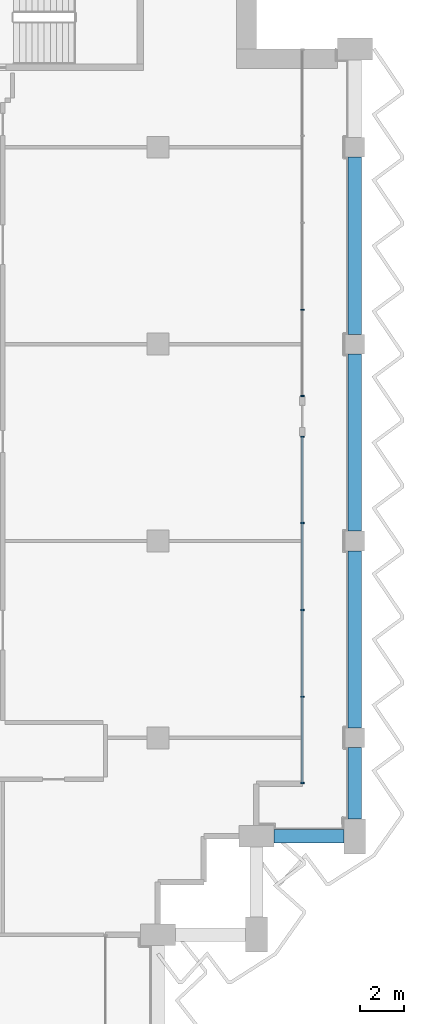
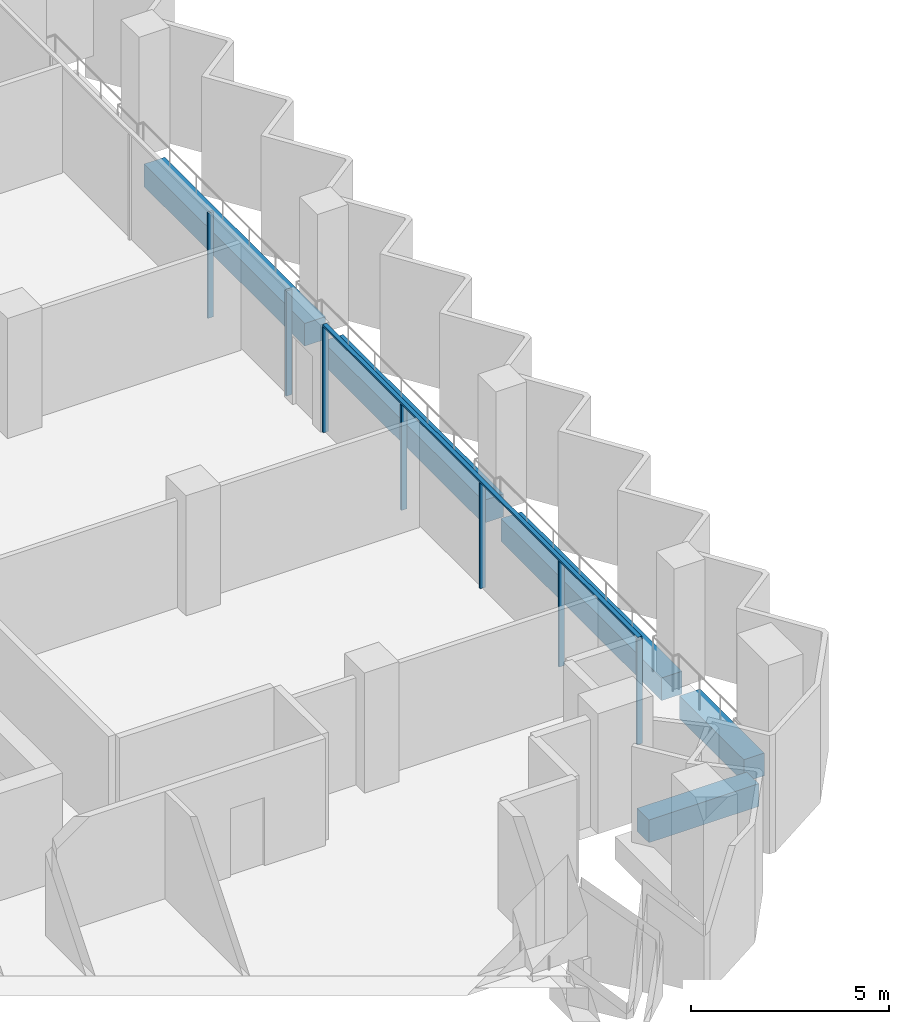
# One storey, part 5 of 17: 8 members, 5 beams, 2 elements without a shape of their own.
"""IFC4 building model written with IfcOpenShell, lengths in metres."""

from ifc_helpers import new_model, si_unit, direction, frame, origin, origin_2d, place, context, subcontext, project, spatial, rectangle, extrude, material, material_profile, profile_set, type_object, element, aggregate, save


model = new_model("IFC4")

# Units and contexts
model_context = context("Model", 3, precision=1e-05, world=origin(), true_north=direction((0.0, 1.0)))
body_context = subcontext(model_context, "Body", "Model", "MODEL_VIEW")
ifc_project = project(units=[si_unit("LENGTHUNIT", "METRE"), si_unit("AREAUNIT", "SQUARE_METRE"), si_unit("VOLUMEUNIT", "CUBIC_METRE"), si_unit("PLANEANGLEUNIT", "RADIAN"), si_unit("MASSUNIT", "GRAM", prefix="KILO")], contexts=[model_context])

# Site, building, storey
site_placement = place(None, origin())
site = spatial("IfcSite", under=ifc_project, at=site_placement, CompositionType="ELEMENT")
building_placement = place(site_placement, origin())
building = spatial("IfcBuilding", under=site, at=building_placement, Name="Hunhe Ridgeline Campus", CompositionType="ELEMENT")
storey_placement = place(building_placement, frame((0.0, 0.0, 265.10009765625)))
storey = spatial("IfcBuildingStorey", under=building, at=storey_placement, Name="L68", CompositionType="ELEMENT", Elevation=265.10009765625)

# Curtain wall, members
ifc_material_1 = material(Name="Aluminium 6063", Category="aluminium")
curtain_wall_type = type_object("IfcCurtainWallType", Name="Curtain wall CW-1", PredefinedType="NOTDEFINED", material=ifc_material_1)
curtain_wall_1_placement = place(storey_placement, origin())
curtain_wall_1 = element("IfcCurtainWall", 1, at=curtain_wall_1_placement, inside=storey, type_object=curtain_wall_type, Name="Curtain wall 12", PredefinedType="NOTDEFINED")
ifc_material_profile_1 = material_profile(ifc_material_1, rectangle(XDim=0.159912109375, YDim=0.06005859375, at=origin_2d()))
ifc_profile_set_1 = profile_set([ifc_material_profile_1], Name="Aluminium 6063")
member_type_1 = type_object("IfcMemberType", Name="CW-1 aluminium mullion", PredefinedType="MULLION", material=ifc_profile_set_1)
member_1_placement = place(storey_placement, frame((51.59912109375, 60.930908203125, 0.0), z_axis=(0.0, 0.0, 1.0), x_axis=(-1.0, 0.0, 0.0)))
member_1 = element("IfcMember", 2, at=member_1_placement, type_object=member_type_1, Name="CW-1 mullion 1", PredefinedType="MULLION", context=body_context, shape_type="SweptSolid", body=[
    extrude(rectangle(XDim=0.159912109375, YDim=0.06005859375, at=origin_2d()), origin(), (0.0, 0.0, 1.0), 3.239990234375),
])
member_2_placement = place(storey_placement, frame((51.59912109375, 64.8759765625, 0.0), z_axis=(0.0, 0.0, 1.0), x_axis=(-1.0, 0.0, 0.0)))
member_2 = element("IfcMember", 3, at=member_2_placement, type_object=member_type_1, Name="CW-1 mullion 2", PredefinedType="MULLION", context=body_context, shape_type="SweptSolid", body=[
    extrude(rectangle(XDim=0.159912109375, YDim=0.06005859375, at=origin_2d()), origin(), (0.0, 0.0, 1.0), 3.239990234375),
])
member_3_placement = place(storey_placement, frame((51.59912109375, 68.850830078125, 0.0), z_axis=(0.0, 0.0, 1.0), x_axis=(-1.0, 0.0, 0.0)))
member_3 = element("IfcMember", 4, at=member_3_placement, type_object=member_type_1, Name="CW-1 mullion 3", PredefinedType="MULLION", context=body_context, shape_type="SweptSolid", body=[
    extrude(rectangle(XDim=0.159912109375, YDim=0.06005859375, at=origin_2d()), origin(), (0.0, 0.0, 1.0), 3.239990234375),
])
member_4_placement = place(storey_placement, frame((51.59912109375, 72.82568359375, 0.0), z_axis=(0.0, 0.0, 1.0), x_axis=(-1.0, 0.0, 0.0)))
member_4 = element("IfcMember", 5, at=member_4_placement, type_object=member_type_1, Name="CW-1 mullion 4", PredefinedType="MULLION", context=body_context, shape_type="SweptSolid", body=[
    extrude(rectangle(XDim=0.159912109375, YDim=0.06005859375, at=origin_2d()), origin(), (0.0, 0.0, 1.0), 3.239990234375),
])
member_5_placement = place(storey_placement, frame((51.59912109375, 76.7705078125, 0.0), z_axis=(0.0, 0.0, 1.0), x_axis=(-1.0, 0.0, 0.0)))
member_5 = element("IfcMember", 6, at=member_5_placement, type_object=member_type_1, Name="CW-1 mullion 5", PredefinedType="MULLION", context=body_context, shape_type="SweptSolid", body=[
    extrude(rectangle(XDim=0.159912109375, YDim=0.06005859375, at=origin_2d()), origin(), (0.0, 0.0, 1.0), 3.239990234375),
])

curtain_wall_2_placement = place(storey_placement, origin())
curtain_wall_2 = element("IfcCurtainWall", 7, at=curtain_wall_2_placement, inside=storey, type_object=curtain_wall_type, Name="Curtain wall 13", PredefinedType="NOTDEFINED")
member_6_placement = place(storey_placement, frame((51.59912109375, 78.630615234375, 0.0), z_axis=(0.0, 0.0, 1.0), x_axis=(-1.0, 0.0, 0.0)))
member_6 = element("IfcMember", 8, at=member_6_placement, type_object=member_type_1, Name="CW-1 mullion 1", PredefinedType="MULLION", context=body_context, shape_type="SweptSolid", body=[
    extrude(rectangle(XDim=0.159912109375, YDim=0.06005859375, at=origin_2d()), origin(), (0.0, 0.0, 1.0), 3.239990234375),
])
member_7_placement = place(storey_placement, frame((51.59912109375, 82.575439453125, 0.0), z_axis=(0.0, 0.0, 1.0), x_axis=(-1.0, 0.0, 0.0)))
member_7 = element("IfcMember", 9, at=member_7_placement, type_object=member_type_1, Name="CW-1 mullion 2", PredefinedType="MULLION", context=body_context, shape_type="SweptSolid", body=[
    extrude(rectangle(XDim=0.159912109375, YDim=0.06005859375, at=origin_2d()), origin(), (0.0, 0.0, 1.0), 3.239990234375),
])
aggregate(curtain_wall_2, [member_6, member_7])

# Member
ifc_material_profile_2 = material_profile(ifc_material_1, rectangle(XDim=0.1201171875, YDim=0.06005859375, at=origin_2d()))
ifc_profile_set_2 = profile_set([ifc_material_profile_2], Name="Aluminium 6063")
member_type_2 = type_object("IfcMemberType", Name="CW-1 aluminium transom", PredefinedType="USERDEFINED", material=ifc_profile_set_2)
member_8_placement = place(storey_placement, frame((51.59912109375, 60.90087890625, 3.27001953125), z_axis=(0.0, 1.0, 0.0), x_axis=(-1.0, 0.0, 0.0)))
member_8 = element("IfcMember", 10, at=member_8_placement, type_object=member_type_2, Name="CW-1 transom 1", ObjectType="TRANSOM", PredefinedType="USERDEFINED", context=body_context, shape_type="SweptSolid", body=[
    extrude(rectangle(XDim=0.1201171875, YDim=0.06005859375, at=origin_2d()), origin(), (0.0, 0.0, 1.0), 15.899658203125),
])

aggregate(curtain_wall_1, [member_8, member_1, member_2, member_3, member_4, member_5])

# Beams
ifc_material_2 = material(Name="Concrete C50", Category="concrete")
ifc_material_profile_3 = material_profile(ifc_material_2, rectangle(XDim=0.60009765625, YDim=0.699951171875, at=origin_2d()))
ifc_profile_set_3 = profile_set([ifc_material_profile_3], Name="Concrete C50")
beam_type = type_object("IfcBeamType", Name="RC spandrel beam 600x700 Concrete C50", PredefinedType="SPANDREL", material=ifc_profile_set_3)
beam_1_placement = place(storey_placement, frame((50.300048828125, 58.5, -0.60009765625), z_axis=(1.0, 0.0, 0.0), x_axis=(0.0, 1.0, 0.0)))
element("IfcBeam", 11, at=beam_1_placement, inside=storey, type_object=beam_type, Name="Spandrel beam B4-12 L68", PredefinedType="SPANDREL", context=body_context, shape_type="SweptSolid", body=[
    extrude(rectangle(XDim=0.60009765625, YDim=0.699951171875, at=origin_2d()), origin(), (0.0, 0.0, 1.0), 3.199951171875),
])
beam_2_placement = place(storey_placement, frame((54.0, 59.300048828125, -0.60009765625), z_axis=(0.0, 1.0, 0.0), x_axis=(-1.0, 0.0, 0.0)))
element("IfcBeam", 12, at=beam_2_placement, inside=storey, type_object=beam_type, Name="Spandrel beam B4-13 L68", PredefinedType="SPANDREL", context=body_context, shape_type="SweptSolid", body=[
    extrude(rectangle(XDim=0.60009765625, YDim=0.699951171875, at=origin_2d()), origin(), (0.0, 0.0, 1.0), 3.25),
])
for number, where, z_axis, x_axis, name in (
    (13, (54.0, 63.449951171875, -0.60009765625), (0.0, 1.0, 0.0), (-1.0, 0.0, 0.0), "Spandrel beam B4-14 L68"),
    (14, (54.0, 72.449951171875, -0.60009765625), (0.0, 1.0, 0.0), (-1.0, 0.0, 0.0), "Spandrel beam B4-15 L68"),
    (15, (54.0, 81.449951171875, -0.60009765625), (0.0, 1.0, 0.0), (-1.0, 0.0, 0.0), "Spandrel beam B4-16 L68"),
):
    element("IfcBeam", number, at=place(storey_placement, frame(where, z_axis=z_axis, x_axis=x_axis)), inside=storey, type_object=beam_type, Name=name, PredefinedType="SPANDREL", context=body_context, shape_type="SweptSolid", body=[
        extrude(rectangle(XDim=0.60009765625, YDim=0.699951171875, at=origin_2d()), origin(), (0.0, 0.0, 1.0), 8.10009765625),
    ])

save(model, "model.ifc")
